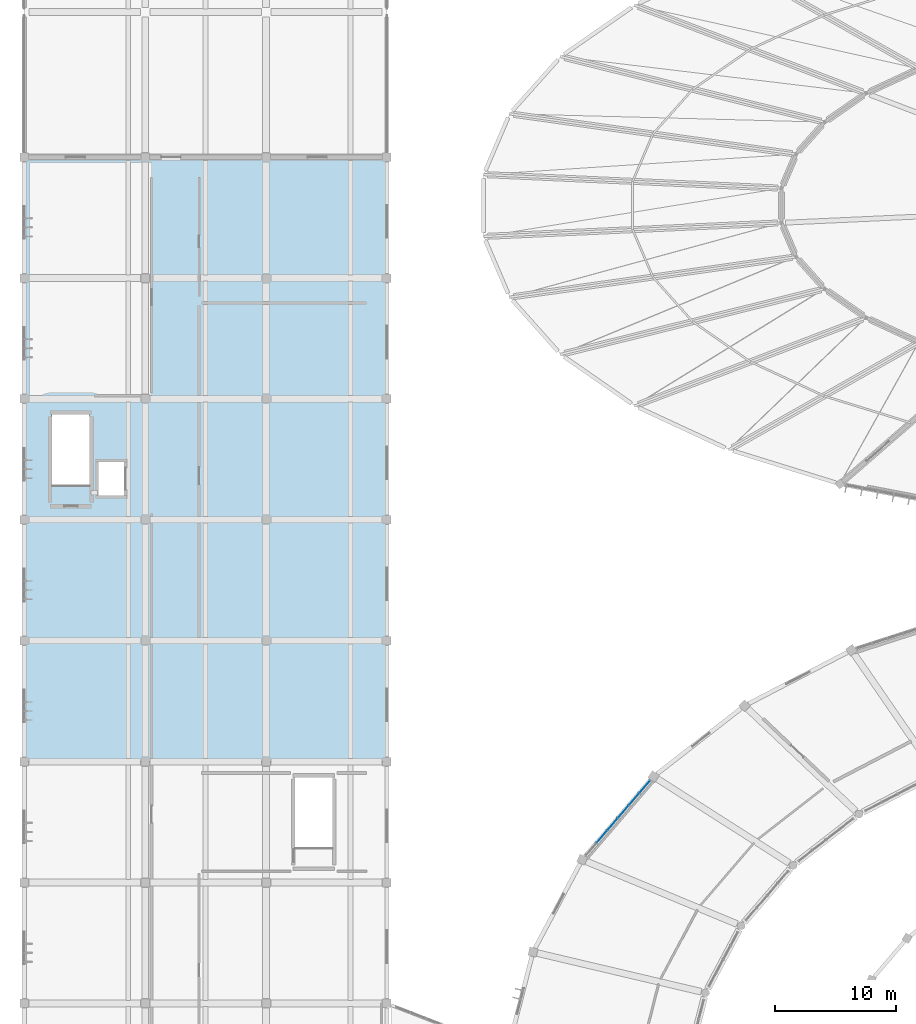
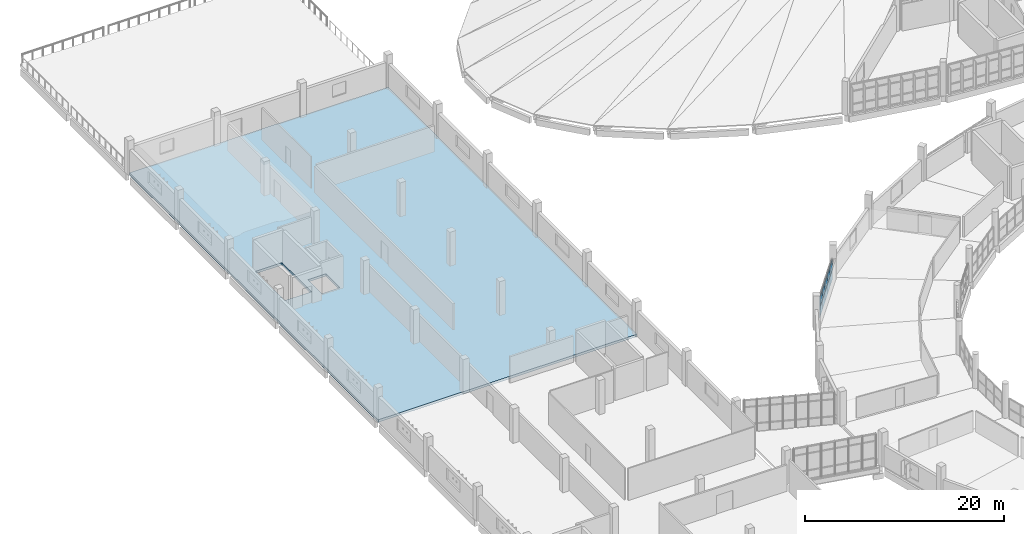
# One storey, part 79 of 142: 10 plates, 1 slab, 1 element without a shape of its own.
"""IFC4 building model written with IfcOpenShell, lengths in metres."""

from ifc_helpers import new_model, si_unit, direction, frame, origin, origin_2d, place, context, subcontext, project, spatial, polyline, rectangle, outline, extrude, material, layer, layer_set, type_object, element, aggregate, save


model = new_model("IFC4")

# Units and contexts
model_context = context("Model", 3, precision=1e-05, world=origin(), true_north=direction((0.0, 1.0)))
body_context = subcontext(model_context, "Body", "Model", "MODEL_VIEW")
ifc_project = project(units=[si_unit("LENGTHUNIT", "METRE"), si_unit("AREAUNIT", "SQUARE_METRE"), si_unit("VOLUMEUNIT", "CUBIC_METRE"), si_unit("PLANEANGLEUNIT", "RADIAN"), si_unit("MASSUNIT", "GRAM", prefix="KILO")], contexts=[model_context])

# Site, building, storey
site_placement = place(None, origin())
site = spatial("IfcSite", under=ifc_project, at=site_placement, CompositionType="ELEMENT")
building_placement = place(site_placement, origin())
building = spatial("IfcBuilding", under=site, at=building_placement, Name="Corvandel Quay Wholesale Market", CompositionType="ELEMENT")
storey_placement = place(building_placement, frame((0.0, 0.0, 10.800048828125)))
storey = spatial("IfcBuildingStorey", under=building, at=storey_placement, Name="L02", CompositionType="ELEMENT", Elevation=10.800048828125)

# Slab
ifc_material_1 = material(Name="Concrete C40/50", Category="concrete")
ifc_layer_1 = layer(ifc_material_1, 0.300048828125)
ifc_layer_set_1 = layer_set([ifc_layer_1], Name="Concrete C40/50")
slab_type = type_object("IfcSlabType", Name="Composite Trading Gallery Floor Slab 300", PredefinedType="FLOOR", material=ifc_layer_set_1)
slab_placement = place(storey_placement, frame((0.0, 0.0, -0.300048828125)))
element("IfcSlab", 1, at=slab_placement, inside=storey, type_object=slab_type, Name="Slab SLB-0457", PredefinedType="FLOOR", context=body_context, shape_type="SweptSolid", body=[
    extrude(outline(polyline([(20.0, 120.0), (50.0, 120.0), (50.0, 70.0), (20.0, 70.0), (20.0, 120.0)]), holes=[polyline([(28.25, 92.0), (28.25, 94.800048828125), (26.14990234375, 94.800048828125), (26.14990234375, 92.0), (28.25, 92.0)]), polyline([(25.39990234375, 92.800048828125), (25.39990234375, 98.699951171875), (22.300048828125, 98.699951171875), (22.300048828125, 92.800048828125), (25.39990234375, 92.800048828125)])]), origin(), (0.0, 0.0, 1.0), 0.300048828125),
])

# Curtain wall, plates
ifc_material_2 = material(Name="Bronze anodised aluminium and low-E insulated glazing", Category="aluminium")
ifc_layer_2 = layer(ifc_material_2, 0.162109375)
ifc_layer_set_2 = layer_set([ifc_layer_2], Name="Bronze anodised aluminium and low-E insulated glazing")
curtain_wall_type = type_object("IfcCurtainWallType", Name="Stick Curtain Wall System CW21 H4890", PredefinedType="NOTDEFINED", material=ifc_layer_set_2)
curtain_wall_placement = place(storey_placement, origin())
curtain_wall = element("IfcCurtainWall", 2, at=curtain_wall_placement, inside=storey, type_object=curtain_wall_type, Name="Curtain Wall CW-0037", PredefinedType="NOTDEFINED")
ifc_material_3 = material(Name="Solar-control low-E insulated glazing", Category="glass")
ifc_layer_3 = layer(ifc_material_3, 0.028076171875)
ifc_layer_set_3 = layer_set([ifc_layer_3], Name="Solar-control low-E insulated glazing")
plate_type = type_object("IfcPlateType", Name="Double Low-E Vision Panel PN01 28mm", PredefinedType="CURTAIN_PANEL", material=ifc_layer_set_3)
plate_1_placement = place(storey_placement, frame((71.318115234375, 67.915283203125, 0.02978515625), z_axis=(0.0, 0.0, 1.0), x_axis=(0.651568967347, 0.758589401976, 0.0)))
plate_1 = element("IfcPlate", 3, at=plate_1_placement, type_object=plate_type, Name="Glazing Panel CW-0037-P00-0", PredefinedType="CURTAIN_PANEL", context=body_context, shape_type="SweptSolid", body=[
    extrude(rectangle(XDim=1.29638671875, YDim=0.028076171875, at=origin_2d()), origin(), (0.0, 0.0, 1.0), 1.215087890625),
])
plate_2_placement = place(storey_placement, frame((71.318115234375, 67.915283203125, 1.3046875), z_axis=(0.0, 0.0, 1.0), x_axis=(0.651568967347, 0.758589401976, 0.0)))
plate_2 = element("IfcPlate", 4, at=plate_2_placement, type_object=plate_type, Name="Glazing Panel CW-0037-P00-1", PredefinedType="CURTAIN_PANEL", context=body_context, shape_type="SweptSolid", body=[
    extrude(rectangle(XDim=1.29638671875, YDim=0.028076171875, at=origin_2d()), origin(), (0.0, 0.0, 1.0), 1.215087890625),
])
plate_3_placement = place(storey_placement, frame((70.43115234375, 66.882568359375, 0.02978515625), z_axis=(0.0, 0.0, 1.0), x_axis=(0.651568967347, 0.758589401976, 0.0)))
plate_3 = element("IfcPlate", 5, at=plate_3_placement, type_object=plate_type, Name="Glazing Panel CW-0037-P01-0", PredefinedType="CURTAIN_PANEL", context=body_context, shape_type="SweptSolid", body=[
    extrude(rectangle(XDim=1.29638671875, YDim=0.028076171875, at=origin_2d()), origin(), (0.0, 0.0, 1.0), 1.215087890625),
])
plate_4_placement = place(storey_placement, frame((70.43115234375, 66.882568359375, 1.3046875), z_axis=(0.0, 0.0, 1.0), x_axis=(0.651568967347, 0.758589401976, 0.0)))
plate_4 = element("IfcPlate", 6, at=plate_4_placement, type_object=plate_type, Name="Glazing Panel CW-0037-P01-1", PredefinedType="CURTAIN_PANEL", context=body_context, shape_type="SweptSolid", body=[
    extrude(rectangle(XDim=1.29638671875, YDim=0.028076171875, at=origin_2d()), origin(), (0.0, 0.0, 1.0), 1.215087890625),
])
plate_5_placement = place(storey_placement, frame((69.5439453125, 65.849853515625, 0.02978515625), z_axis=(0.0, 0.0, 1.0), x_axis=(0.651568967347, 0.758589401976, 0.0)))
plate_5 = element("IfcPlate", 7, at=plate_5_placement, type_object=plate_type, Name="Glazing Panel CW-0037-P02-0", PredefinedType="CURTAIN_PANEL", context=body_context, shape_type="SweptSolid", body=[
    extrude(rectangle(XDim=1.29638671875, YDim=0.028076171875, at=origin_2d()), origin(), (0.0, 0.0, 1.0), 1.215087890625),
])
plate_6_placement = place(storey_placement, frame((69.5439453125, 65.849853515625, 1.3046875), z_axis=(0.0, 0.0, 1.0), x_axis=(0.651568967347, 0.758589401976, 0.0)))
plate_6 = element("IfcPlate", 8, at=plate_6_placement, type_object=plate_type, Name="Glazing Panel CW-0037-P02-1", PredefinedType="CURTAIN_PANEL", context=body_context, shape_type="SweptSolid", body=[
    extrude(rectangle(XDim=1.29638671875, YDim=0.028076171875, at=origin_2d()), origin(), (0.0, 0.0, 1.0), 1.215087890625),
])
plate_7_placement = place(storey_placement, frame((68.656982421875, 64.817138671875, 0.02978515625), z_axis=(0.0, 0.0, 1.0), x_axis=(0.651568967347, 0.758589401976, 0.0)))
plate_7 = element("IfcPlate", 9, at=plate_7_placement, type_object=plate_type, Name="Glazing Panel CW-0037-P03-0", PredefinedType="CURTAIN_PANEL", context=body_context, shape_type="SweptSolid", body=[
    extrude(rectangle(XDim=1.29638671875, YDim=0.028076171875, at=origin_2d()), origin(), (0.0, 0.0, 1.0), 1.215087890625),
])
plate_8_placement = place(storey_placement, frame((68.656982421875, 64.817138671875, 1.3046875), z_axis=(0.0, 0.0, 1.0), x_axis=(0.651568967347, 0.758589401976, 0.0)))
plate_8 = element("IfcPlate", 10, at=plate_8_placement, type_object=plate_type, Name="Glazing Panel CW-0037-P03-1", PredefinedType="CURTAIN_PANEL", context=body_context, shape_type="SweptSolid", body=[
    extrude(rectangle(XDim=1.29638671875, YDim=0.028076171875, at=origin_2d()), origin(), (0.0, 0.0, 1.0), 1.215087890625),
])
plate_9_placement = place(storey_placement, frame((67.769775390625, 63.784423828125, 0.02978515625), z_axis=(0.0, 0.0, 1.0), x_axis=(0.651568967347, 0.758589401976, 0.0)))
plate_9 = element("IfcPlate", 11, at=plate_9_placement, type_object=plate_type, Name="Glazing Panel CW-0037-P04-0", PredefinedType="CURTAIN_PANEL", context=body_context, shape_type="SweptSolid", body=[
    extrude(rectangle(XDim=1.29638671875, YDim=0.028076171875, at=origin_2d()), origin(), (0.0, 0.0, 1.0), 1.215087890625),
])
plate_10_placement = place(storey_placement, frame((67.769775390625, 63.784423828125, 1.3046875), z_axis=(0.0, 0.0, 1.0), x_axis=(0.651568967347, 0.758589401976, 0.0)))
plate_10 = element("IfcPlate", 12, at=plate_10_placement, type_object=plate_type, Name="Glazing Panel CW-0037-P04-1", PredefinedType="CURTAIN_PANEL", context=body_context, shape_type="SweptSolid", body=[
    extrude(rectangle(XDim=1.29638671875, YDim=0.028076171875, at=origin_2d()), origin(), (0.0, 0.0, 1.0), 1.215087890625),
])
aggregate(curtain_wall, [plate_1, plate_2, plate_3, plate_4, plate_5, plate_6, plate_7, plate_8, plate_9, plate_10])

save(model, "model.ifc")
